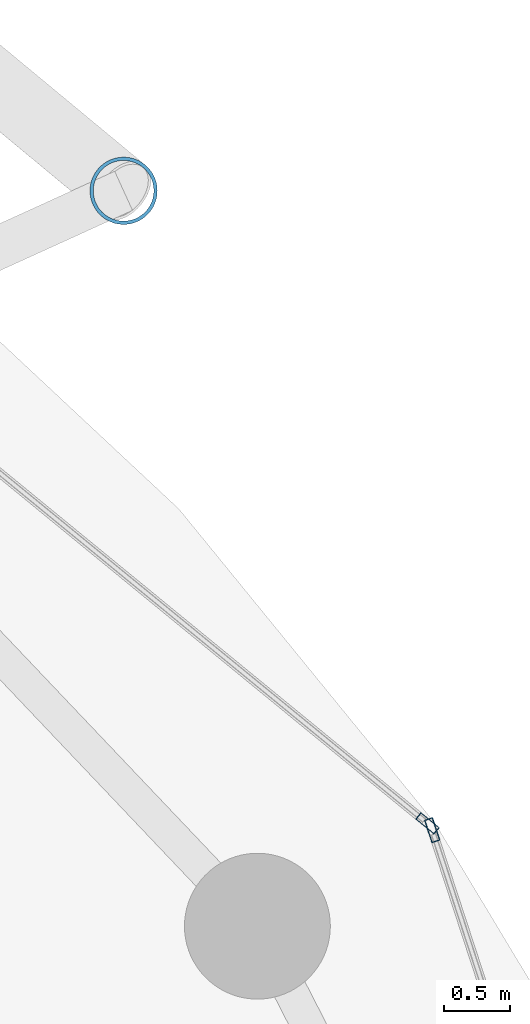
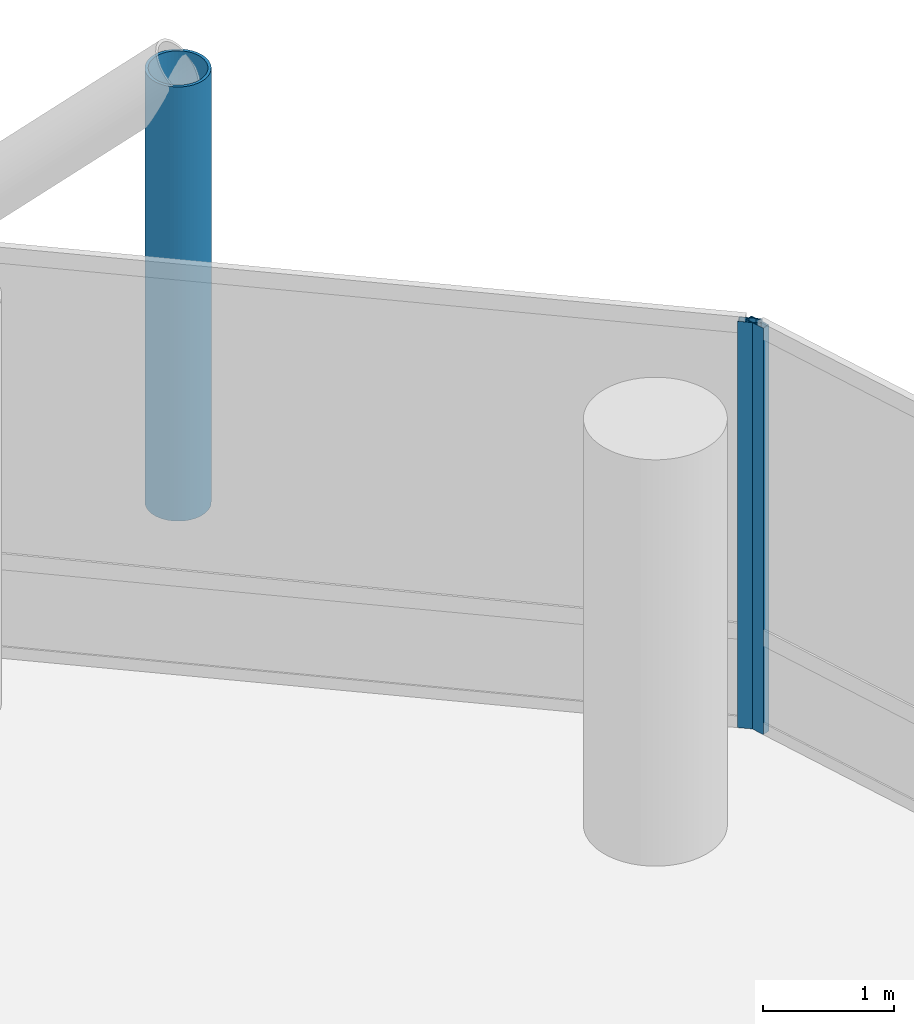
# One storey, part 19 of 24: 3 members, 2 elements without a shape of their own.
"""IFC4 building model written with IfcOpenShell, lengths in metres."""

from ifc_helpers import new_model, si_unit, direction, frame, origin, origin_2d, place, context, subcontext, project, spatial, hollow_rectangle, hollow_circle, extrude, material, layer, layer_set, material_profile, profile_set, type_object, element, aggregate, save


model = new_model("IFC4")

# Units and contexts
model_context = context("Model", 3, precision=1e-05, world=origin(), true_north=direction((0.0, 1.0)))
body_context = subcontext(model_context, "Body", "Model", "MODEL_VIEW")
ifc_project = project(units=[si_unit("LENGTHUNIT", "METRE"), si_unit("AREAUNIT", "SQUARE_METRE"), si_unit("VOLUMEUNIT", "CUBIC_METRE"), si_unit("PLANEANGLEUNIT", "RADIAN"), si_unit("MASSUNIT", "GRAM", prefix="KILO")], contexts=[model_context])

# Site, building, storey
site_placement = place(None, origin())
site = spatial("IfcSite", under=ifc_project, at=site_placement, CompositionType="ELEMENT")
building_placement = place(site_placement, origin())
building = spatial("IfcBuilding", under=site, at=building_placement, Name="Nuhasar Tower", CompositionType="ELEMENT")
storey_placement = place(building_placement, frame((0.0, 0.0, 29.10009765625)))
storey = spatial("IfcBuildingStorey", under=building, at=storey_placement, Name="L06", CompositionType="ELEMENT", Elevation=29.10009765625)

# Curtain wall, member
ifc_material_1 = material(Name="Aluminium 6063-T6", Category="aluminium")
ifc_layer = layer(ifc_material_1, 0.199951171875)
ifc_layer_set = layer_set([ifc_layer], Name="Aluminium 6063-T6")
curtain_wall_type = type_object("IfcCurtainWallType", Name="CW-Z1-OFF", PredefinedType="NOTDEFINED", material=ifc_layer_set)
curtain_wall_1_placement = place(storey_placement, origin())
curtain_wall_1 = element("IfcCurtainWall", 1, at=curtain_wall_1_placement, inside=storey, type_object=curtain_wall_type, Name="L06 Unitised Curtain Wall 01", PredefinedType="NOTDEFINED")
ifc_material_profile_1 = material_profile(ifc_material_1, hollow_rectangle(XDim=0.06494140625, YDim=0.179931640625, WallThickness=0.0048828125, at=origin_2d()), Name="CWM-2")
ifc_profile_set_1 = profile_set([ifc_material_profile_1], Name="Aluminium 6063-T6")
member_type_1 = type_object("IfcMemberType", Name="CW-MUL-S2", PredefinedType="MULLION", material=ifc_profile_set_1)
member_1_placement = place(storey_placement, frame((62.01220703125, 37.649169921875, 0.0), z_axis=(0.0, 0.0, 1.0), x_axis=(-0.950467534571, -0.310823849997, 0.0)))
member_1 = element("IfcMember", 2, at=member_1_placement, type_object=member_type_1, Name="CW-Z1 mullion 2", PredefinedType="MULLION", context=body_context, shape_type="SweptSolid", body=[
    extrude(hollow_rectangle(XDim=0.06494140625, YDim=0.179931640625, WallThickness=0.0048828125, at=origin_2d()), origin(), (0.0, 0.0, 1.0), 3.789794921875),
])
aggregate(curtain_wall_1, [member_1])

curtain_wall_2_placement = place(storey_placement, origin())
curtain_wall_2 = element("IfcCurtainWall", 3, at=curtain_wall_2_placement, inside=storey, type_object=curtain_wall_type, Name="L06 Unitised Curtain Wall 02", PredefinedType="NOTDEFINED")
member_2_placement = place(storey_placement, frame((61.976806640625, 37.70068359375, 0.0), z_axis=(0.0, 0.0, 1.0), x_axis=(-0.633744593376, -0.773542364946, 0.0)))
member_2 = element("IfcMember", 4, at=member_2_placement, type_object=member_type_1, Name="CW-Z1 mullion 1", PredefinedType="MULLION", context=body_context, shape_type="SweptSolid", body=[
    extrude(hollow_rectangle(XDim=0.06494140625, YDim=0.179931640625, WallThickness=0.0048828125, at=origin_2d()), origin(), (0.0, 0.0, 1.0), 3.789794921875),
])
aggregate(curtain_wall_2, [member_2])

# Member
ifc_material_2 = material(Name="Steel S460", Category="steel")
ifc_material_profile_2 = material_profile(ifc_material_2, hollow_circle(Radius=0.25390625, WallThickness=0.025390625, at=origin_2d()), Name="HSS508X25.4")
ifc_profile_set_2 = profile_set([ifc_material_profile_2], Name="Steel S460")
member_type_2 = type_object("IfcMemberType", Name="EXO-BRONZE-508", PredefinedType="BRACE", material=ifc_profile_set_2)
member_3_placement = place(storey_placement, frame((59.68505859375, 42.470947265625, 0.0), z_axis=(0.0, 0.0, 1.0), x_axis=(1.0, 0.0, 0.0)))
element("IfcMember", 5, at=member_3_placement, inside=storey, type_object=member_type_2, Name="L06 Exoskeleton Chord Column EC-02A", PredefinedType="BRACE", context=body_context, shape_type="SweptSolid", body=[
    extrude(hollow_circle(Radius=0.25390625, WallThickness=0.025390625, at=origin_2d()), origin(), (0.0, 0.0, 1.0), 4.0498046875),
])

save(model, "model.ifc")
